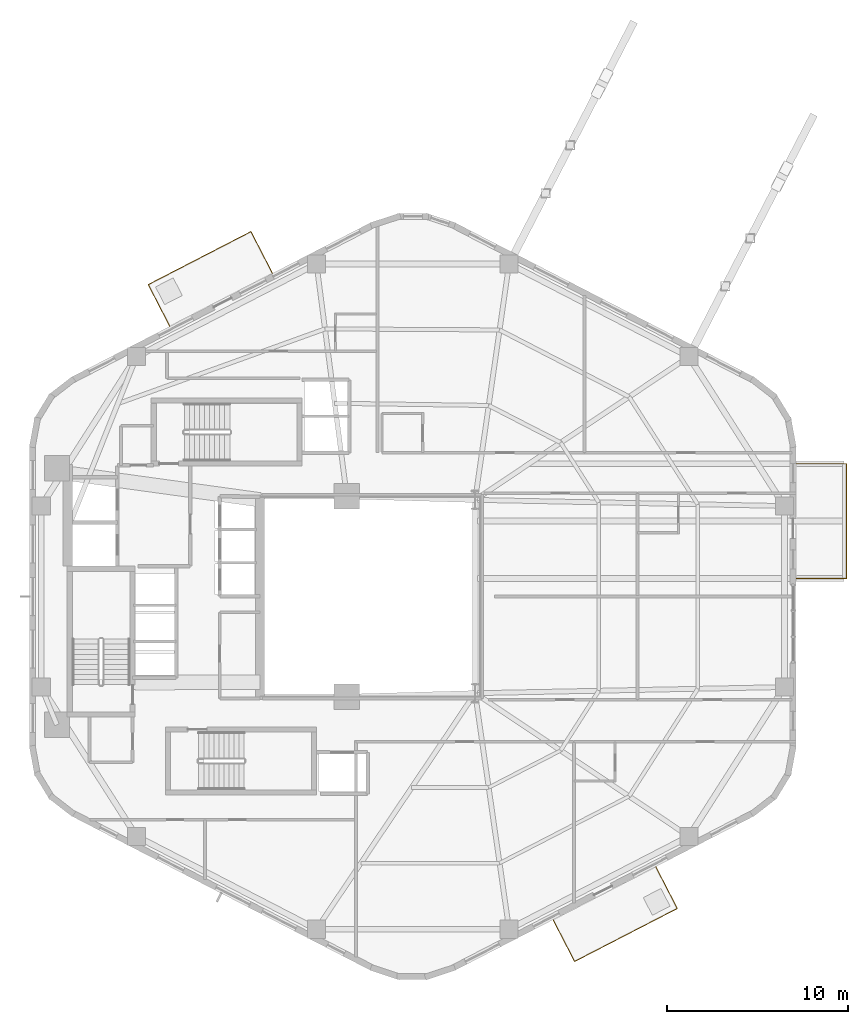
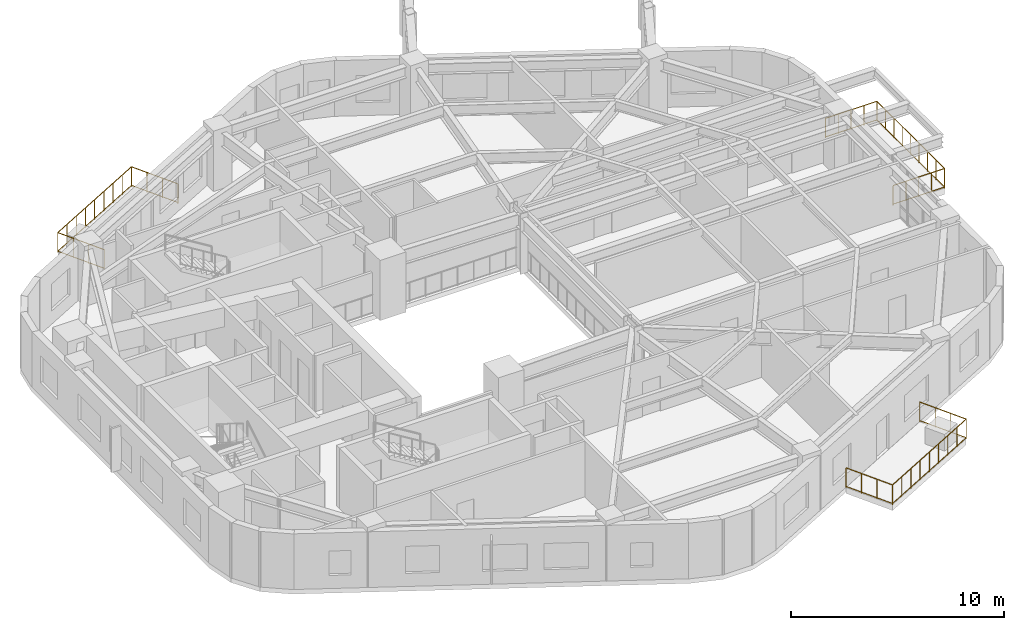
# One storey, part 10 of 10: 3 railings.
"""IFC4 building model written with IfcOpenShell, lengths in metres."""

from ifc_helpers import new_model, si_unit, direction, frame, origin, origin_2d, place, context, subcontext, project, spatial, circle, extrude, material, type_object, element, save


model = new_model("IFC4")

# Units and contexts
model_context = context("Model", 3, precision=1e-05, world=origin(), true_north=direction((0.0, 1.0)))
body_context = subcontext(model_context, "Body", "Model", "MODEL_VIEW")
ifc_project = project(units=[si_unit("LENGTHUNIT", "METRE"), si_unit("AREAUNIT", "SQUARE_METRE"), si_unit("VOLUMEUNIT", "CUBIC_METRE"), si_unit("PLANEANGLEUNIT", "RADIAN"), si_unit("MASSUNIT", "GRAM", prefix="KILO"), si_unit("THERMODYNAMICTEMPERATUREUNIT", "KELVIN"), si_unit("POWERUNIT", "WATT")], contexts=[model_context])

# Site, building, storey
site_placement = place(None, origin())
site = spatial("IfcSite", under=ifc_project, at=site_placement, CompositionType="ELEMENT")
building_placement = place(site_placement, origin())
building = spatial("IfcBuilding", under=site, at=building_placement, Name="Skarre Station Tower", CompositionType="ELEMENT")
storey_placement = place(building_placement, frame((0.0, 0.0, 105.0)))
storey = spatial("IfcBuildingStorey", under=building, at=storey_placement, Name="L27", CompositionType="ELEMENT", Elevation=105.0)

# Railings
ifc_material = material(Name="Stainless Steel Grade 316L & Laminated Safety Glass", Category="steel")
railing_type = type_object("IfcRailingType", Name="Laminated Glass & Stainless Terrace Guardrail 1150", PredefinedType="BALUSTRADE", material=ifc_material)
railing_1_placement = place(storey_placement, frame((57.22802734375, 31.35009765625, 0.0)))
element("IfcRailing", 1, at=railing_1_placement, inside=storey, type_object=railing_type, Name="L27 SG-1 Conservatory Terrace Guardrail", PredefinedType="BALUSTRADE", context=body_context, shape_type="SweptSolid", body=[
    extrude(circle(Radius=0.02392578125, at=origin_2d()), frame((0.0, 0.0, 1.1259765625), z_axis=(1.0, 0.0, 0.0), x_axis=(0.0, 1.0, 0.0)), (0.0, 0.0, 1.0), 2.7900390625),
    extrude(circle(Radius=0.02099609375, at=origin_2d()), frame((0.0, 0.0, 0.06005859375), z_axis=(1.0, 0.0, 0.0), x_axis=(0.0, 1.0, 0.0)), (0.0, 0.0, 1.0), 2.7900390625),
    extrude(circle(Radius=0.02392578125, at=origin_2d()), frame((2.7900390625, 0.0, 1.1259765625), z_axis=(0.0, -1.0, 0.0), x_axis=(1.0, 0.0, 0.0)), (0.0, 0.0, 1.0), 6.34814453125),
    extrude(circle(Radius=0.02099609375, at=origin_2d()), frame((2.7900390625, 0.0, 0.06005859375), z_axis=(0.0, -1.0, 0.0), x_axis=(1.0, 0.0, 0.0)), (0.0, 0.0, 1.0), 6.34814453125),
    extrude(circle(Radius=0.02392578125, at=origin_2d()), frame((2.7900390625, -6.34814453125, 1.1259765625), z_axis=(-1.0, 0.0, 0.0), x_axis=(0.0, -1.0, 0.0)), (0.0, 0.0, 1.0), 2.7900390625),
    extrude(circle(Radius=0.02099609375, at=origin_2d()), frame((2.7900390625, -6.34814453125, 0.06005859375), z_axis=(-1.0, 0.0, 0.0), x_axis=(0.0, -1.0, 0.0)), (0.0, 0.0, 1.0), 2.7900390625),
    extrude(circle(Radius=0.02099609375, at=origin_2d()), origin(), (0.0, 0.0, 1.0), 1.101806640625),
    extrude(circle(Radius=0.02099609375, at=origin_2d()), frame((0.697509765625, 0.0, 0.0)), (0.0, 0.0, 1.0), 1.101806640625),
    extrude(circle(Radius=0.02099609375, at=origin_2d()), frame((1.39501953125, 0.0, 0.0)), (0.0, 0.0, 1.0), 1.101806640625),
    extrude(circle(Radius=0.02099609375, at=origin_2d()), frame((2.092529296875, 0.0, 0.0)), (0.0, 0.0, 1.0), 1.101806640625),
    extrude(circle(Radius=0.02099609375, at=origin_2d()), frame((2.7900390625, 0.0, 0.0)), (0.0, 0.0, 1.0), 1.101806640625),
    extrude(circle(Radius=0.02099609375, at=origin_2d()), frame((2.7900390625, -0.79345703125, 0.0)), (0.0, 0.0, 1.0), 1.101806640625),
    extrude(circle(Radius=0.02099609375, at=origin_2d()), frame((2.7900390625, -1.5869140625, 0.0)), (0.0, 0.0, 1.0), 1.101806640625),
    extrude(circle(Radius=0.02099609375, at=origin_2d()), frame((2.7900390625, -2.380615234375, 0.0)), (0.0, 0.0, 1.0), 1.101806640625),
    extrude(circle(Radius=0.02099609375, at=origin_2d()), frame((2.7900390625, -3.174072265625, 0.0)), (0.0, 0.0, 1.0), 1.101806640625),
    extrude(circle(Radius=0.02099609375, at=origin_2d()), frame((2.7900390625, -3.967529296875, 0.0)), (0.0, 0.0, 1.0), 1.101806640625),
    extrude(circle(Radius=0.02099609375, at=origin_2d()), frame((2.7900390625, -4.76123046875, 0.0)), (0.0, 0.0, 1.0), 1.101806640625),
    extrude(circle(Radius=0.02099609375, at=origin_2d()), frame((2.7900390625, -5.5546875, 0.0)), (0.0, 0.0, 1.0), 1.101806640625),
    extrude(circle(Radius=0.02099609375, at=origin_2d()), frame((2.7900390625, -6.34814453125, 0.0)), (0.0, 0.0, 1.0), 1.101806640625),
    extrude(circle(Radius=0.02099609375, at=origin_2d()), frame((2.092529296875, -6.34814453125, 0.0)), (0.0, 0.0, 1.0), 1.101806640625),
    extrude(circle(Radius=0.02099609375, at=origin_2d()), frame((1.39501953125, -6.34814453125, 0.0)), (0.0, 0.0, 1.0), 1.101806640625),
    extrude(circle(Radius=0.02099609375, at=origin_2d()), frame((0.697509765625, -6.34814453125, 0.0)), (0.0, 0.0, 1.0), 1.101806640625),
    extrude(circle(Radius=0.02099609375, at=origin_2d()), frame((0.0, -6.34814453125, 0.0)), (0.0, 0.0, 1.0), 1.101806640625),
])
railing_2_placement = place(storey_placement, frame((43.77001953125, 6.097900390625, 0.0)))
element("IfcRailing", 2, at=railing_2_placement, inside=storey, type_object=railing_type, Name="L27 TB-L27-F4 Tree-Balcony Guardrail", PredefinedType="BALUSTRADE", context=body_context, shape_type="SweptSolid", body=[
    extrude(circle(Radius=0.02392578125, at=origin_2d()), frame((0.0, 0.0, 1.1259765625), z_axis=(0.458791817331, -0.888543790902, 0.0), x_axis=(0.888543790902, 0.458791817331, 0.0)), (0.0, 0.0, 1.0), 2.58935546875),
    extrude(circle(Radius=0.02099609375, at=origin_2d()), frame((0.0, 0.0, 0.06005859375), z_axis=(0.458791817331, -0.888543790902, 0.0), x_axis=(0.888543790902, 0.458791817331, 0.0)), (0.0, 0.0, 1.0), 2.58935546875),
    extrude(circle(Radius=0.02392578125, at=origin_2d()), frame((1.18798828125, -2.30078125, 1.1259765625), z_axis=(0.888647237743, 0.458591416026, 0.0), x_axis=(-0.458591416026, 0.888647237743, 0.0)), (0.0, 0.0, 1.0), 6.399658203125),
    extrude(circle(Radius=0.02099609375, at=origin_2d()), frame((1.18798828125, -2.30078125, 0.06005859375), z_axis=(0.888647237743, 0.458591416026, 0.0), x_axis=(-0.458591416026, 0.888647237743, 0.0)), (0.0, 0.0, 1.0), 6.399658203125),
    extrude(circle(Radius=0.02392578125, at=origin_2d()), frame((6.875, 0.634033203125, 1.1259765625), z_axis=(-0.458599707136, 0.888642959019, 0.0), x_axis=(-0.888642959019, -0.458599707136, 0.0)), (0.0, 0.0, 1.0), 2.590576171875),
    extrude(circle(Radius=0.02099609375, at=origin_2d()), frame((6.875, 0.634033203125, 0.06005859375), z_axis=(-0.458599707136, 0.888642959019, 0.0), x_axis=(-0.888642959019, -0.458599707136, 0.0)), (0.0, 0.0, 1.0), 2.590576171875),
    extrude(circle(Radius=0.02099609375, at=origin_2d()), origin(), (0.0, 0.0, 1.0), 1.101806640625),
    extrude(circle(Radius=0.02099609375, at=origin_2d()), frame((0.39599609375, -0.766845703125, 0.0)), (0.0, 0.0, 1.0), 1.101806640625),
    extrude(circle(Radius=0.02099609375, at=origin_2d()), frame((0.7919921875, -1.533935546875, 0.0)), (0.0, 0.0, 1.0), 1.101806640625),
    extrude(circle(Radius=0.02099609375, at=origin_2d()), frame((1.18798828125, -2.30078125, 0.0)), (0.0, 0.0, 1.0), 1.101806640625),
    extrude(circle(Radius=0.02099609375, at=origin_2d()), frame((1.89892578125, -1.933837890625, 0.0)), (0.0, 0.0, 1.0), 1.101806640625),
    extrude(circle(Radius=0.02099609375, at=origin_2d()), frame((2.60986328125, -1.567138671875, 0.0)), (0.0, 0.0, 1.0), 1.101806640625),
    extrude(circle(Radius=0.02099609375, at=origin_2d()), frame((3.320556640625, -1.2001953125, 0.0)), (0.0, 0.0, 1.0), 1.101806640625),
    extrude(circle(Radius=0.02099609375, at=origin_2d()), frame((4.031494140625, -0.83349609375, 0.0)), (0.0, 0.0, 1.0), 1.101806640625),
    extrude(circle(Radius=0.02099609375, at=origin_2d()), frame((4.742431640625, -0.466552734375, 0.0)), (0.0, 0.0, 1.0), 1.101806640625),
    extrude(circle(Radius=0.02099609375, at=origin_2d()), frame((5.453125, -0.099609375, 0.0)), (0.0, 0.0, 1.0), 1.101806640625),
    extrude(circle(Radius=0.02099609375, at=origin_2d()), frame((6.1640625, 0.26708984375, 0.0)), (0.0, 0.0, 1.0), 1.101806640625),
    extrude(circle(Radius=0.02099609375, at=origin_2d()), frame((6.875, 0.634033203125, 0.0)), (0.0, 0.0, 1.0), 1.101806640625),
    extrude(circle(Radius=0.02099609375, at=origin_2d()), frame((6.47900390625, 1.4013671875, 0.0)), (0.0, 0.0, 1.0), 1.101806640625),
    extrude(circle(Radius=0.02099609375, at=origin_2d()), frame((6.0830078125, 2.168701171875, 0.0)), (0.0, 0.0, 1.0), 1.101806640625),
    extrude(circle(Radius=0.02099609375, at=origin_2d()), frame((5.68701171875, 2.93603515625, 0.0)), (0.0, 0.0, 1.0), 1.101806640625),
])
railing_3_placement = place(storey_placement, frame((28.22998046875, 41.902099609375, 0.0)))
element("IfcRailing", 3, at=railing_3_placement, inside=storey, type_object=railing_type, Name="L27 TB-L27-F1 Tree-Balcony Guardrail", PredefinedType="BALUSTRADE", context=body_context, shape_type="SweptSolid", body=[
    extrude(circle(Radius=0.02392578125, at=origin_2d()), frame((0.0, 0.0, 1.1259765625), z_axis=(-0.458791817331, 0.888543790902, 0.0), x_axis=(-0.888543790902, -0.458791817331, 0.0)), (0.0, 0.0, 1.0), 2.58935546875),
    extrude(circle(Radius=0.02099609375, at=origin_2d()), frame((0.0, 0.0, 0.06005859375), z_axis=(-0.458791817331, 0.888543790902, 0.0), x_axis=(-0.888543790902, -0.458791817331, 0.0)), (0.0, 0.0, 1.0), 2.58935546875),
    extrude(circle(Radius=0.02392578125, at=origin_2d()), frame((-1.18798828125, 2.30078125, 1.1259765625), z_axis=(-0.888647237743, -0.458591416026, 0.0), x_axis=(0.458591416026, -0.888647237743, 0.0)), (0.0, 0.0, 1.0), 6.399658203125),
    extrude(circle(Radius=0.02099609375, at=origin_2d()), frame((-1.18798828125, 2.30078125, 0.06005859375), z_axis=(-0.888647237743, -0.458591416026, 0.0), x_axis=(0.458591416026, -0.888647237743, 0.0)), (0.0, 0.0, 1.0), 6.399658203125),
    extrude(circle(Radius=0.02392578125, at=origin_2d()), frame((-6.875, -0.634033203125, 1.1259765625), z_axis=(0.458599707136, -0.888642959019, 0.0), x_axis=(0.888642959019, 0.458599707136, 0.0)), (0.0, 0.0, 1.0), 2.590576171875),
    extrude(circle(Radius=0.02099609375, at=origin_2d()), frame((-6.875, -0.634033203125, 0.06005859375), z_axis=(0.458599707136, -0.888642959019, 0.0), x_axis=(0.888642959019, 0.458599707136, 0.0)), (0.0, 0.0, 1.0), 2.590576171875),
    extrude(circle(Radius=0.02099609375, at=origin_2d()), origin(), (0.0, 0.0, 1.0), 1.101806640625),
    extrude(circle(Radius=0.02099609375, at=origin_2d()), frame((-0.39599609375, 0.766845703125, 0.0)), (0.0, 0.0, 1.0), 1.101806640625),
    extrude(circle(Radius=0.02099609375, at=origin_2d()), frame((-0.7919921875, 1.533935546875, 0.0)), (0.0, 0.0, 1.0), 1.101806640625),
    extrude(circle(Radius=0.02099609375, at=origin_2d()), frame((-1.18798828125, 2.30078125, 0.0)), (0.0, 0.0, 1.0), 1.101806640625),
    extrude(circle(Radius=0.02099609375, at=origin_2d()), frame((-1.89892578125, 1.933837890625, 0.0)), (0.0, 0.0, 1.0), 1.101806640625),
    extrude(circle(Radius=0.02099609375, at=origin_2d()), frame((-2.60986328125, 1.567138671875, 0.0)), (0.0, 0.0, 1.0), 1.101806640625),
    extrude(circle(Radius=0.02099609375, at=origin_2d()), frame((-3.320556640625, 1.2001953125, 0.0)), (0.0, 0.0, 1.0), 1.101806640625),
    extrude(circle(Radius=0.02099609375, at=origin_2d()), frame((-4.031494140625, 0.83349609375, 0.0)), (0.0, 0.0, 1.0), 1.101806640625),
    extrude(circle(Radius=0.02099609375, at=origin_2d()), frame((-4.742431640625, 0.466552734375, 0.0)), (0.0, 0.0, 1.0), 1.101806640625),
    extrude(circle(Radius=0.02099609375, at=origin_2d()), frame((-5.453125, 0.099609375, 0.0)), (0.0, 0.0, 1.0), 1.101806640625),
    extrude(circle(Radius=0.02099609375, at=origin_2d()), frame((-6.1640625, -0.26708984375, 0.0)), (0.0, 0.0, 1.0), 1.101806640625),
    extrude(circle(Radius=0.02099609375, at=origin_2d()), frame((-6.875, -0.634033203125, 0.0)), (0.0, 0.0, 1.0), 1.101806640625),
    extrude(circle(Radius=0.02099609375, at=origin_2d()), frame((-6.47900390625, -1.4013671875, 0.0)), (0.0, 0.0, 1.0), 1.101806640625),
    extrude(circle(Radius=0.02099609375, at=origin_2d()), frame((-6.0830078125, -2.168701171875, 0.0)), (0.0, 0.0, 1.0), 1.101806640625),
    extrude(circle(Radius=0.02099609375, at=origin_2d()), frame((-5.68701171875, -2.93603515625, 0.0)), (0.0, 0.0, 1.0), 1.101806640625),
])

save(model, "model.ifc")
